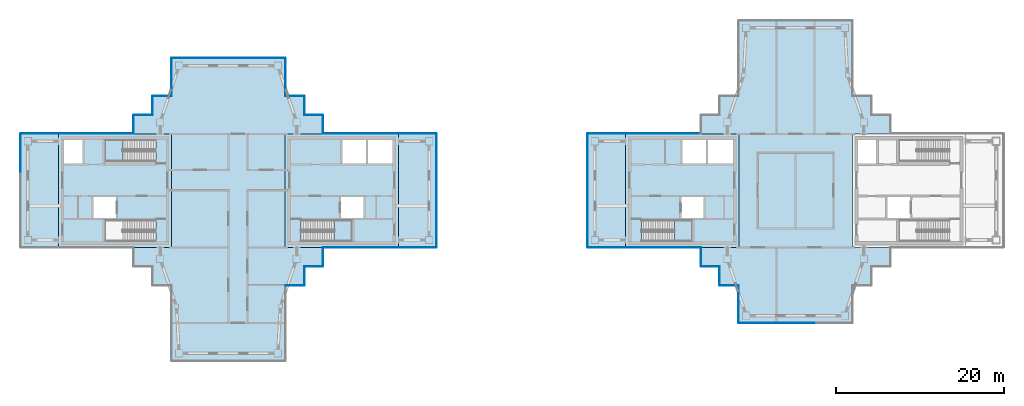
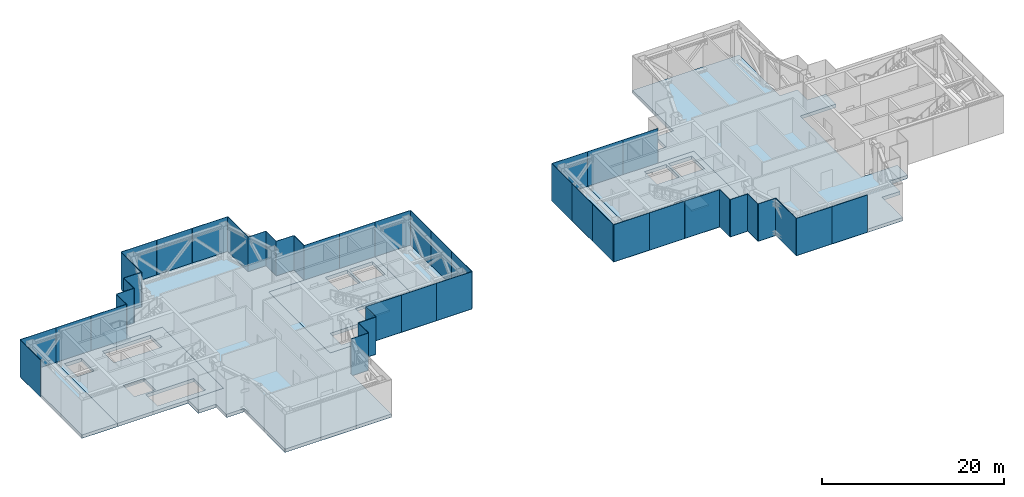
# One storey, part 5 of 18: 46 plates, 11 slabs, 25 elements without a shape of their own.
"""IFC4 building model written with IfcOpenShell, lengths in metres."""

from ifc_helpers import new_model, si_unit, direction, frame, origin, origin_2d, place, context, subcontext, project, spatial, polyline, rectangle, outline, extrude, material, layer, layer_set, type_object, element, aggregate, save


model = new_model("IFC4")

# Units and contexts
model_context = context("Model", 3, precision=1e-05, world=origin(), true_north=direction((0.0, 1.0)))
body_context = subcontext(model_context, "Body", "Model", "MODEL_VIEW")
ifc_project = project(units=[si_unit("LENGTHUNIT", "METRE"), si_unit("AREAUNIT", "SQUARE_METRE"), si_unit("VOLUMEUNIT", "CUBIC_METRE"), si_unit("PLANEANGLEUNIT", "RADIAN"), si_unit("MASSUNIT", "GRAM", prefix="KILO")], contexts=[model_context])

# Site, building, storey
site_placement = place(None, origin())
site = spatial("IfcSite", under=ifc_project, at=site_placement, CompositionType="ELEMENT")
building_placement = place(site_placement, origin())
building = spatial("IfcBuilding", under=site, at=building_placement, Name="Shamsa Quay Exchange Towers", CompositionType="ELEMENT")
storey_placement = place(building_placement, frame((0.0, 0.0, 273.300048828125)))
storey = spatial("IfcBuildingStorey", under=building, at=storey_placement, Name="L66", CompositionType="ELEMENT", Elevation=273.300048828125)

# Slabs
ifc_material_1 = material(Name="Concrete C50/60", Category="concrete")
ifc_layer_1 = layer(ifc_material_1, 0.449951171875)
ifc_layer_set_1 = layer_set([ifc_layer_1], Name="CORE FLOOR 450 C50/60")
slab_type_1 = type_object("IfcSlabType", Name="CORE FLOOR 450 C50/60", PredefinedType="FLOOR", material=ifc_layer_set_1)
slab_1_placement = place(storey_placement, frame((0.0, 0.0, -0.449951171875)))
element("IfcSlab", 1, at=slab_1_placement, inside=storey, type_object=slab_type_1, Name="Core floor T1A", PredefinedType="FLOOR", context=body_context, shape_type="SweptSolid", body=[
    extrude(outline(polyline([(-27.0, -6.75), (-13.5, -6.75), (-13.5, 6.75), (-27.0, 6.75), (-27.0, -6.75)]), holes=[polyline([(-25.099365234375, -6.050048828125), (-25.099365234375, -3.5), (-19.0, -3.5), (-19.0, -6.050048828125), (-25.099365234375, -6.050048828125)]), polyline([(-20.199951171875, 3.25), (-20.199951171875, 6.050048828125), (-17.39990234375, 6.050048828125), (-17.39990234375, 3.25), (-20.199951171875, 3.25)]), polyline([(-17.14990234375, 3.25), (-17.14990234375, 6.050048828125), (-14.199951171875, 6.050048828125), (-14.199951171875, 3.25), (-17.14990234375, 3.25)]), polyline([(-20.35009765625, -3.25), (-20.35009765625, -0.75), (-17.699951171875, -0.75), (-17.699951171875, -3.25), (-20.35009765625, -3.25)])]), origin(), (0.0, 0.0, 1.0), 0.449951171875),
])
slab_2_placement = place(storey_placement, frame((0.0, 0.0, -0.449951171875)))
element("IfcSlab", 2, at=slab_2_placement, inside=storey, type_object=slab_type_1, Name="Core floor T1B", PredefinedType="FLOOR", context=body_context, shape_type="SweptSolid", body=[
    extrude(outline(polyline([(-40.5, -6.75), (-40.5, 6.75), (-54.0, 6.75), (-54.0, -6.75), (-40.5, -6.75)]), holes=[polyline([(-42.400634765625, -3.5), (-42.400634765625, -6.050048828125), (-48.5, -6.050048828125), (-48.5, -3.5), (-42.400634765625, -3.5)]), polyline([(-42.400634765625, 6.050048828125), (-42.400634765625, 3.5), (-48.5, 3.5), (-48.5, 6.050048828125), (-42.400634765625, 6.050048828125)]), polyline([(-51.14990234375, 3.25), (-53.300048828125, 3.25), (-53.300048828125, 6.050048828125), (-51.14990234375, 6.050048828125), (-51.14990234375, 3.25)]), polyline([(-47.14990234375, -3.25), (-49.800048828125, -3.25), (-49.800048828125, -0.75), (-47.14990234375, -0.75), (-47.14990234375, -3.25)])]), origin(), (0.0, 0.0, 1.0), 0.449951171875),
])
slab_3_placement = place(storey_placement, frame((0.0, 0.0, -0.449951171875)))
element("IfcSlab", 3, at=slab_3_placement, inside=storey, type_object=slab_type_1, Name="Core floor T2A", PredefinedType="FLOOR", context=body_context, shape_type="SweptSolid", body=[
    extrude(outline(polyline([(13.5, -6.75), (27.0, -6.75), (27.0, 6.75), (13.5, 6.75), (13.5, -6.75)]), holes=[polyline([(15.400634765625, -6.050048828125), (15.400634765625, -3.5), (21.5, -3.5), (21.5, -6.050048828125), (15.400634765625, -6.050048828125)]), polyline([(20.300048828125, 3.25), (20.300048828125, 6.050048828125), (23.10009765625, 6.050048828125), (23.10009765625, 3.25), (20.300048828125, 3.25)]), polyline([(23.35009765625, 3.25), (23.35009765625, 6.050048828125), (26.300048828125, 6.050048828125), (26.300048828125, 3.25), (23.35009765625, 3.25)]), polyline([(20.14990234375, -3.25), (20.14990234375, -0.75), (22.800048828125, -0.75), (22.800048828125, -3.25), (20.14990234375, -3.25)])]), origin(), (0.0, 0.0, 1.0), 0.449951171875),
])

# Stair, slab
ifc_material_2 = material(Name="Concrete C40/50", Category="concrete")
stair_type = type_object("IfcStairType", Name="EXIT STAIR 30 RISERS 167 MM", PredefinedType="HALF_TURN_STAIR", material=ifc_material_2)
stair_1_placement = place(storey_placement, origin())
stair_1 = element("IfcStair", 4, at=stair_1_placement, inside=storey, type_object=stair_type, Name="L66 Exit stair ST1", PredefinedType="HALF_TURN_STAIR")
ifc_layer_2 = layer(ifc_material_2, 0.199951171875)
ifc_layer_set_2 = layer_set([ifc_layer_2], Name="CORE STAIR LANDING")
slab_type_2 = type_object("IfcSlabType", Name="CORE STAIR LANDING", PredefinedType="LANDING", material=ifc_layer_set_2)
slab_4_placement = place(storey_placement, frame((0.0, 0.0, 2.300048828125)))
slab_4 = element("IfcSlab", 5, at=slab_4_placement, type_object=slab_type_2, Name="ST1 landing 1", PredefinedType="LANDING", context=body_context, shape_type="SweptSolid", body=[
    extrude(outline(polyline([(-21.179931640625, -6.050048828125), (-19.0, -6.050048828125), (-19.0, -3.5), (-21.179931640625, -3.5), (-21.179931640625, -6.050048828125)])), origin(), (0.0, 0.0, 1.0), 0.199951171875),
])
aggregate(stair_1, [slab_4])

stair_2_placement = place(storey_placement, origin())
stair_2 = element("IfcStair", 6, at=stair_2_placement, inside=storey, type_object=stair_type, Name="L66 Exit stair ST3", PredefinedType="HALF_TURN_STAIR")
slab_5_placement = place(storey_placement, frame((0.0, 0.0, 2.300048828125)))
slab_5 = element("IfcSlab", 7, at=slab_5_placement, type_object=slab_type_2, Name="ST3 landing 1", PredefinedType="LANDING", context=body_context, shape_type="SweptSolid", body=[
    extrude(outline(polyline([(-46.320068359375, 6.050048828125), (-48.5, 6.050048828125), (-48.5, 3.5), (-46.320068359375, 3.5), (-46.320068359375, 6.050048828125)])), origin(), (0.0, 0.0, 1.0), 0.199951171875),
])
aggregate(stair_2, [slab_5])

stair_3_placement = place(storey_placement, origin())
stair_3 = element("IfcStair", 8, at=stair_3_placement, inside=storey, type_object=stair_type, Name="L66 Exit stair ST4", PredefinedType="HALF_TURN_STAIR")
slab_6_placement = place(storey_placement, frame((0.0, 0.0, 2.300048828125)))
slab_6 = element("IfcSlab", 9, at=slab_6_placement, type_object=slab_type_2, Name="ST4 landing 1", PredefinedType="LANDING", context=body_context, shape_type="SweptSolid", body=[
    extrude(outline(polyline([(19.320068359375, -6.050048828125), (21.5, -6.050048828125), (21.5, -3.5), (19.320068359375, -3.5), (19.320068359375, -6.050048828125)])), origin(), (0.0, 0.0, 1.0), 0.199951171875),
])
aggregate(stair_3, [slab_6])

# Curtain wall, plates
ifc_material_3 = material(Name="Aluminium EN AW-6063 T6, black anodised", Category="aluminium")
ifc_layer_3 = layer(ifc_material_3, 0.320068359375)
ifc_layer_set_3 = layer_set([ifc_layer_3], Name="CW-7 BELT-LEVEL LOUVRE PANEL WALL")
curtain_wall_type = type_object("IfcCurtainWallType", Name="CW-7 BELT-LEVEL LOUVRE PANEL WALL", PredefinedType="NOTDEFINED", material=ifc_layer_set_3)
curtain_wall_1_placement = place(storey_placement, origin())
curtain_wall_1 = element("IfcCurtainWall", 10, at=curtain_wall_1_placement, inside=storey, type_object=curtain_wall_type, Name="CW7 T1-FLK-U+S L66", PredefinedType="NOTDEFINED")
ifc_material_4 = material(Name="Aluminium louvre panel, black anodised, with insulated fire-rated backing", Category="aluminium")
ifc_layer_4 = layer(ifc_material_4, 0.06005859375)
ifc_layer_set_4 = layer_set([ifc_layer_4], Name="CW-7 LOUVRE PANEL 60")
plate_type = type_object("IfcPlateType", Name="CW-7 LOUVRE PANEL 60", PredefinedType="CURTAIN_PANEL", material=ifc_layer_set_4)
plate_1_placement = place(storey_placement, frame((-20.2060546875, -6.780029296875, -0.35009765625)))
plate_1 = element("IfcPlate", 11, at=plate_1_placement, type_object=plate_type, Name="CW7 glass panel", PredefinedType="CURTAIN_PANEL", context=body_context, shape_type="SweptSolid", body=[
    extrude(rectangle(XDim=4.464111328125, YDim=0.06005859375, at=origin_2d()), origin(), (0.0, 0.0, 1.0), 5.0),
])
plate_2_placement = place(storey_placement, frame((-15.73193359375, -6.780029296875, -0.35009765625)))
plate_2 = element("IfcPlate", 12, at=plate_2_placement, type_object=plate_type, Name="CW7 glass panel", PredefinedType="CURTAIN_PANEL", context=body_context, shape_type="SweptSolid", body=[
    extrude(rectangle(XDim=4.464111328125, YDim=0.06005859375, at=origin_2d()), origin(), (0.0, 0.0, 1.0), 5.0),
])
aggregate(curtain_wall_1, [plate_1, plate_2])

# Curtain wall, plate
curtain_wall_2_placement = place(storey_placement, origin())
curtain_wall_2 = element("IfcCurtainWall", 13, at=curtain_wall_2_placement, inside=storey, type_object=curtain_wall_type, Name="CW7 T1-FLK-U+S L66", PredefinedType="NOTDEFINED")
plate_3_placement = place(storey_placement, frame((-11.25, -6.780029296875, -0.35009765625)))
plate_3 = element("IfcPlate", 14, at=plate_3_placement, type_object=plate_type, Name="CW7 glass panel", PredefinedType="CURTAIN_PANEL", context=body_context, shape_type="SweptSolid", body=[
    extrude(rectangle(XDim=4.5, YDim=0.06005859375, at=origin_2d()), origin(), (0.0, 0.0, 1.0), 5.0),
])
aggregate(curtain_wall_2, [plate_3])

# Curtain wall, plates
curtain_wall_3_placement = place(storey_placement, origin())
curtain_wall_3 = element("IfcCurtainWall", 15, at=curtain_wall_3_placement, inside=storey, type_object=curtain_wall_type, Name="CW7 T1-END-U+ L66", PredefinedType="NOTDEFINED")
plate_4_placement = place(storey_placement, frame((-8.969970703125, -4.50244140625, -0.35009765625), z_axis=(0.0, 0.0, 1.0), x_axis=(0.0, 1.0, 0.0)))
plate_4 = element("IfcPlate", 16, at=plate_4_placement, type_object=plate_type, Name="CW7 glass panel", PredefinedType="CURTAIN_PANEL", context=body_context, shape_type="SweptSolid", body=[
    extrude(rectangle(XDim=4.4951171875, YDim=0.06005859375, at=origin_2d()), origin(), (0.0, 0.0, 1.0), 5.0),
])
plate_5_placement = place(storey_placement, frame((-8.969970703125, 0.0, -0.35009765625), z_axis=(0.0, 0.0, 1.0), x_axis=(0.0, 1.0, 0.0)))
plate_5 = element("IfcPlate", 17, at=plate_5_placement, type_object=plate_type, Name="CW7 glass panel", PredefinedType="CURTAIN_PANEL", context=body_context, shape_type="SweptSolid", body=[
    extrude(rectangle(XDim=4.489990234375, YDim=0.06005859375, at=origin_2d()), origin(), (0.0, 0.0, 1.0), 5.0),
])
plate_6_placement = place(storey_placement, frame((-8.969970703125, 4.50244140625, -0.35009765625), z_axis=(0.0, 0.0, 1.0), x_axis=(0.0, 1.0, 0.0)))
plate_6 = element("IfcPlate", 18, at=plate_6_placement, type_object=plate_type, Name="CW7 glass panel", PredefinedType="CURTAIN_PANEL", context=body_context, shape_type="SweptSolid", body=[
    extrude(rectangle(XDim=4.4951171875, YDim=0.06005859375, at=origin_2d()), origin(), (0.0, 0.0, 1.0), 5.0),
])
aggregate(curtain_wall_3, [plate_4, plate_5, plate_6])

# Curtain wall, plate
curtain_wall_4_placement = place(storey_placement, origin())
curtain_wall_4 = element("IfcCurtainWall", 19, at=curtain_wall_4_placement, inside=storey, type_object=curtain_wall_type, Name="CW7 T1-FLK-U+N L66", PredefinedType="NOTDEFINED")
plate_7_placement = place(storey_placement, frame((-11.25, 6.780029296875, -0.35009765625), z_axis=(0.0, 0.0, 1.0), x_axis=(-1.0, 0.0, 0.0)))
plate_7 = element("IfcPlate", 20, at=plate_7_placement, type_object=plate_type, Name="CW7 glass panel", PredefinedType="CURTAIN_PANEL", context=body_context, shape_type="SweptSolid", body=[
    extrude(rectangle(XDim=4.5, YDim=0.06005859375, at=origin_2d()), origin(), (0.0, 0.0, 1.0), 5.0),
])
aggregate(curtain_wall_4, [plate_7])

# Curtain wall, plates
curtain_wall_5_placement = place(storey_placement, origin())
curtain_wall_5 = element("IfcCurtainWall", 21, at=curtain_wall_5_placement, inside=storey, type_object=curtain_wall_type, Name="CW7 T1-FLK-U+N L66", PredefinedType="NOTDEFINED")
plate_8_placement = place(storey_placement, frame((-15.74755859375, 6.780029296875, -0.35009765625), z_axis=(0.0, 0.0, 1.0), x_axis=(-1.0, 0.0, 0.0)))
plate_8 = element("IfcPlate", 22, at=plate_8_placement, type_object=plate_type, Name="CW7 glass panel", PredefinedType="CURTAIN_PANEL", context=body_context, shape_type="SweptSolid", body=[
    extrude(rectangle(XDim=4.4951171875, YDim=0.06005859375, at=origin_2d()), origin(), (0.0, 0.0, 1.0), 5.0),
])
plate_9_placement = place(storey_placement, frame((-20.25244140625, 6.780029296875, -0.35009765625), z_axis=(0.0, 0.0, 1.0), x_axis=(-1.0, 0.0, 0.0)))
plate_9 = element("IfcPlate", 23, at=plate_9_placement, type_object=plate_type, Name="CW7 glass panel", PredefinedType="CURTAIN_PANEL", context=body_context, shape_type="SweptSolid", body=[
    extrude(rectangle(XDim=4.4951171875, YDim=0.06005859375, at=origin_2d()), origin(), (0.0, 0.0, 1.0), 5.0),
])
aggregate(curtain_wall_5, [plate_8, plate_9])

# Curtain wall, plate
curtain_wall_6_placement = place(storey_placement, origin())
curtain_wall_6 = element("IfcCurtainWall", 24, at=curtain_wall_6_placement, inside=storey, type_object=curtain_wall_type, Name="CW7 T1-FLK-V+E L66", PredefinedType="NOTDEFINED")
plate_10_placement = place(storey_placement, frame((-26.969970703125, 13.531005859375, -0.35009765625), z_axis=(0.0, 0.0, 1.0), x_axis=(0.0, 1.0, 0.0)))
plate_10 = element("IfcPlate", 25, at=plate_10_placement, type_object=plate_type, Name="CW7 glass panel", PredefinedType="CURTAIN_PANEL", context=body_context, shape_type="SweptSolid", body=[
    extrude(rectangle(XDim=4.43798828125, YDim=0.06005859375, at=origin_2d()), origin(), (0.0, 0.0, 1.0), 5.0),
])
aggregate(curtain_wall_6, [plate_10])

# Curtain wall, plates
curtain_wall_7_placement = place(storey_placement, origin())
curtain_wall_7 = element("IfcCurtainWall", 26, at=curtain_wall_7_placement, inside=storey, type_object=curtain_wall_type, Name="CW7 T1-END-V+ L66", PredefinedType="NOTDEFINED")
plate_11_placement = place(storey_placement, frame((-29.24755859375, 15.780029296875, -0.35009765625), z_axis=(0.0, 0.0, 1.0), x_axis=(-1.0, 0.0, 0.0)))
plate_11 = element("IfcPlate", 27, at=plate_11_placement, type_object=plate_type, Name="CW7 glass panel", PredefinedType="CURTAIN_PANEL", context=body_context, shape_type="SweptSolid", body=[
    extrude(rectangle(XDim=4.4951171875, YDim=0.06005859375, at=origin_2d()), origin(), (0.0, 0.0, 1.0), 5.0),
])
plate_12_placement = place(storey_placement, frame((-33.75, 15.780029296875, -0.35009765625), z_axis=(0.0, 0.0, 1.0), x_axis=(-1.0, 0.0, 0.0)))
plate_12 = element("IfcPlate", 28, at=plate_12_placement, type_object=plate_type, Name="CW7 glass panel", PredefinedType="CURTAIN_PANEL", context=body_context, shape_type="SweptSolid", body=[
    extrude(rectangle(XDim=4.489990234375, YDim=0.06005859375, at=origin_2d()), origin(), (0.0, 0.0, 1.0), 5.0),
])
plate_13_placement = place(storey_placement, frame((-38.25244140625, 15.780029296875, -0.35009765625), z_axis=(0.0, 0.0, 1.0), x_axis=(-1.0, 0.0, 0.0)))
plate_13 = element("IfcPlate", 29, at=plate_13_placement, type_object=plate_type, Name="CW7 glass panel", PredefinedType="CURTAIN_PANEL", context=body_context, shape_type="SweptSolid", body=[
    extrude(rectangle(XDim=4.4951171875, YDim=0.06005859375, at=origin_2d()), origin(), (0.0, 0.0, 1.0), 5.0),
])
aggregate(curtain_wall_7, [plate_11, plate_12, plate_13])

# Curtain wall, plate
curtain_wall_8_placement = place(storey_placement, origin())
curtain_wall_8 = element("IfcCurtainWall", 30, at=curtain_wall_8_placement, inside=storey, type_object=curtain_wall_type, Name="CW7 T1-FLK-V+W L66", PredefinedType="NOTDEFINED")
plate_14_placement = place(storey_placement, frame((-40.530029296875, 13.5, -0.35009765625), z_axis=(0.0, 0.0, 1.0), x_axis=(0.0, -1.0, 0.0)))
plate_14 = element("IfcPlate", 31, at=plate_14_placement, type_object=plate_type, Name="CW7 glass panel", PredefinedType="CURTAIN_PANEL", context=body_context, shape_type="SweptSolid", body=[
    extrude(rectangle(XDim=4.5, YDim=0.06005859375, at=origin_2d()), origin(), (0.0, 0.0, 1.0), 5.0),
])
aggregate(curtain_wall_8, [plate_14])

# Curtain wall, plates
curtain_wall_9_placement = place(storey_placement, origin())
curtain_wall_9 = element("IfcCurtainWall", 32, at=curtain_wall_9_placement, inside=storey, type_object=curtain_wall_type, Name="CW7 T1-FLK-U-N L66", PredefinedType="NOTDEFINED")
plate_15_placement = place(storey_placement, frame((-47.2939453125, 6.780029296875, -0.35009765625), z_axis=(0.0, 0.0, 1.0), x_axis=(-1.0, 0.0, 0.0)))
plate_15 = element("IfcPlate", 33, at=plate_15_placement, type_object=plate_type, Name="CW7 glass panel", PredefinedType="CURTAIN_PANEL", context=body_context, shape_type="SweptSolid", body=[
    extrude(rectangle(XDim=4.464111328125, YDim=0.06005859375, at=origin_2d()), origin(), (0.0, 0.0, 1.0), 5.0),
])
plate_16_placement = place(storey_placement, frame((-51.76806640625, 6.780029296875, -0.35009765625), z_axis=(0.0, 0.0, 1.0), x_axis=(-1.0, 0.0, 0.0)))
plate_16 = element("IfcPlate", 34, at=plate_16_placement, type_object=plate_type, Name="CW7 glass panel", PredefinedType="CURTAIN_PANEL", context=body_context, shape_type="SweptSolid", body=[
    extrude(rectangle(XDim=4.464111328125, YDim=0.06005859375, at=origin_2d()), origin(), (0.0, 0.0, 1.0), 5.0),
])
aggregate(curtain_wall_9, [plate_15, plate_16])

# Curtain wall, plate
curtain_wall_10_placement = place(storey_placement, origin())
curtain_wall_10 = element("IfcCurtainWall", 35, at=curtain_wall_10_placement, inside=storey, type_object=curtain_wall_type, Name="CW7 T1-FLK-U-N L66", PredefinedType="NOTDEFINED")
plate_17_placement = place(storey_placement, frame((-56.25, 6.780029296875, -0.35009765625), z_axis=(0.0, 0.0, 1.0), x_axis=(-1.0, 0.0, 0.0)))
plate_17 = element("IfcPlate", 36, at=plate_17_placement, type_object=plate_type, Name="CW7 glass panel", PredefinedType="CURTAIN_PANEL", context=body_context, shape_type="SweptSolid", body=[
    extrude(rectangle(XDim=4.5, YDim=0.06005859375, at=origin_2d()), origin(), (0.0, 0.0, 1.0), 5.0),
])
aggregate(curtain_wall_10, [plate_17])

curtain_wall_11_placement = place(storey_placement, origin())
curtain_wall_11 = element("IfcCurtainWall", 37, at=curtain_wall_11_placement, inside=storey, type_object=curtain_wall_type, Name="CW7 T1-END-U- L66", PredefinedType="NOTDEFINED")
plate_18_placement = place(storey_placement, frame((-58.530029296875, 4.50244140625, -0.35009765625), z_axis=(0.0, 0.0, 1.0), x_axis=(0.0, -1.0, 0.0)))
plate_18 = element("IfcPlate", 38, at=plate_18_placement, type_object=plate_type, Name="CW7 glass panel", PredefinedType="CURTAIN_PANEL", context=body_context, shape_type="SweptSolid", body=[
    extrude(rectangle(XDim=4.4951171875, YDim=0.06005859375, at=origin_2d()), origin(), (0.0, 0.0, 1.0), 5.0),
])
aggregate(curtain_wall_11, [plate_18])

# Curtain wall, plates
curtain_wall_12_placement = place(storey_placement, origin())
curtain_wall_12 = element("IfcCurtainWall", 39, at=curtain_wall_12_placement, inside=storey, type_object=curtain_wall_type, Name="CW7 PKES L66", PredefinedType="NOTDEFINED")
plate_19_placement = place(storey_placement, frame((-25.843994140625, -11.280029296875, -0.35009765625)))
plate_19 = element("IfcPlate", 40, at=plate_19_placement, type_object=plate_type, Name="CW7 glass panel", PredefinedType="CURTAIN_PANEL", context=body_context, shape_type="SweptSolid", body=[
    extrude(rectangle(XDim=2.18798828125, YDim=0.06005859375, at=origin_2d()), origin(), (0.0, 0.0, 1.0), 5.0),
])
plate_20_placement = place(storey_placement, frame((-24.719970703125, -10.125, -0.35009765625), z_axis=(0.0, 0.0, 1.0), x_axis=(0.0, 1.0, 0.0)))
plate_20 = element("IfcPlate", 41, at=plate_20_placement, type_object=plate_type, Name="CW7 glass panel", PredefinedType="CURTAIN_PANEL", context=body_context, shape_type="SweptSolid", body=[
    extrude(rectangle(XDim=2.25, YDim=0.06005859375, at=origin_2d()), origin(), (0.0, 0.0, 1.0), 5.0),
])
plate_21_placement = place(storey_placement, frame((-23.593994140625, -9.030029296875, -0.35009765625)))
plate_21 = element("IfcPlate", 42, at=plate_21_placement, type_object=plate_type, Name="CW7 glass panel", PredefinedType="CURTAIN_PANEL", context=body_context, shape_type="SweptSolid", body=[
    extrude(rectangle(XDim=2.18798828125, YDim=0.06005859375, at=origin_2d()), origin(), (0.0, 0.0, 1.0), 5.0),
])
plate_22_placement = place(storey_placement, frame((-22.469970703125, -7.875, -0.35009765625), z_axis=(0.0, 0.0, 1.0), x_axis=(0.0, 1.0, 0.0)))
plate_22 = element("IfcPlate", 43, at=plate_22_placement, type_object=plate_type, Name="CW7 glass panel", PredefinedType="CURTAIN_PANEL", context=body_context, shape_type="SweptSolid", body=[
    extrude(rectangle(XDim=2.25, YDim=0.06005859375, at=origin_2d()), origin(), (0.0, 0.0, 1.0), 5.0),
])
aggregate(curtain_wall_12, [plate_19, plate_20, plate_21, plate_22])

curtain_wall_13_placement = place(storey_placement, origin())
curtain_wall_13 = element("IfcCurtainWall", 44, at=curtain_wall_13_placement, inside=storey, type_object=curtain_wall_type, Name="CW7 PKEN L66", PredefinedType="NOTDEFINED")
plate_23_placement = place(storey_placement, frame((-22.469970703125, 7.906005859375, -0.35009765625), z_axis=(0.0, 0.0, 1.0), x_axis=(0.0, 1.0, 0.0)))
plate_23 = element("IfcPlate", 45, at=plate_23_placement, type_object=plate_type, Name="CW7 glass panel", PredefinedType="CURTAIN_PANEL", context=body_context, shape_type="SweptSolid", body=[
    extrude(rectangle(XDim=2.18798828125, YDim=0.06005859375, at=origin_2d()), origin(), (0.0, 0.0, 1.0), 5.0),
])
plate_24_placement = place(storey_placement, frame((-23.625, 9.030029296875, -0.35009765625), z_axis=(0.0, 0.0, 1.0), x_axis=(-1.0, 0.0, 0.0)))
plate_24 = element("IfcPlate", 46, at=plate_24_placement, type_object=plate_type, Name="CW7 glass panel", PredefinedType="CURTAIN_PANEL", context=body_context, shape_type="SweptSolid", body=[
    extrude(rectangle(XDim=2.25, YDim=0.06005859375, at=origin_2d()), origin(), (0.0, 0.0, 1.0), 5.0),
])
plate_25_placement = place(storey_placement, frame((-24.719970703125, 10.156005859375, -0.35009765625), z_axis=(0.0, 0.0, 1.0), x_axis=(0.0, 1.0, 0.0)))
plate_25 = element("IfcPlate", 47, at=plate_25_placement, type_object=plate_type, Name="CW7 glass panel", PredefinedType="CURTAIN_PANEL", context=body_context, shape_type="SweptSolid", body=[
    extrude(rectangle(XDim=2.18798828125, YDim=0.06005859375, at=origin_2d()), origin(), (0.0, 0.0, 1.0), 5.0),
])
plate_26_placement = place(storey_placement, frame((-25.875, 11.280029296875, -0.35009765625), z_axis=(0.0, 0.0, 1.0), x_axis=(-1.0, 0.0, 0.0)))
plate_26 = element("IfcPlate", 48, at=plate_26_placement, type_object=plate_type, Name="CW7 glass panel", PredefinedType="CURTAIN_PANEL", context=body_context, shape_type="SweptSolid", body=[
    extrude(rectangle(XDim=2.25, YDim=0.06005859375, at=origin_2d()), origin(), (0.0, 0.0, 1.0), 5.0),
])
aggregate(curtain_wall_13, [plate_23, plate_24, plate_25, plate_26])

curtain_wall_14_placement = place(storey_placement, origin())
curtain_wall_14 = element("IfcCurtainWall", 49, at=curtain_wall_14_placement, inside=storey, type_object=curtain_wall_type, Name="CW7 PKWN L66", PredefinedType="NOTDEFINED")
plate_27_placement = place(storey_placement, frame((-41.656005859375, 11.280029296875, -0.35009765625), z_axis=(0.0, 0.0, 1.0), x_axis=(-1.0, 0.0, 0.0)))
plate_27 = element("IfcPlate", 50, at=plate_27_placement, type_object=plate_type, Name="CW7 glass panel", PredefinedType="CURTAIN_PANEL", context=body_context, shape_type="SweptSolid", body=[
    extrude(rectangle(XDim=2.18798828125, YDim=0.06005859375, at=origin_2d()), origin(), (0.0, 0.0, 1.0), 5.0),
])
plate_28_placement = place(storey_placement, frame((-42.780029296875, 10.125, -0.35009765625), z_axis=(0.0, 0.0, 1.0), x_axis=(0.0, -1.0, 0.0)))
plate_28 = element("IfcPlate", 51, at=plate_28_placement, type_object=plate_type, Name="CW7 glass panel", PredefinedType="CURTAIN_PANEL", context=body_context, shape_type="SweptSolid", body=[
    extrude(rectangle(XDim=2.25, YDim=0.06005859375, at=origin_2d()), origin(), (0.0, 0.0, 1.0), 5.0),
])
plate_29_placement = place(storey_placement, frame((-43.906005859375, 9.030029296875, -0.35009765625), z_axis=(0.0, 0.0, 1.0), x_axis=(-1.0, 0.0, 0.0)))
plate_29 = element("IfcPlate", 52, at=plate_29_placement, type_object=plate_type, Name="CW7 glass panel", PredefinedType="CURTAIN_PANEL", context=body_context, shape_type="SweptSolid", body=[
    extrude(rectangle(XDim=2.18798828125, YDim=0.06005859375, at=origin_2d()), origin(), (0.0, 0.0, 1.0), 5.0),
])
plate_30_placement = place(storey_placement, frame((-45.030029296875, 7.875, -0.35009765625), z_axis=(0.0, 0.0, 1.0), x_axis=(0.0, -1.0, 0.0)))
plate_30 = element("IfcPlate", 53, at=plate_30_placement, type_object=plate_type, Name="CW7 glass panel", PredefinedType="CURTAIN_PANEL", context=body_context, shape_type="SweptSolid", body=[
    extrude(rectangle(XDim=2.25, YDim=0.06005859375, at=origin_2d()), origin(), (0.0, 0.0, 1.0), 5.0),
])
aggregate(curtain_wall_14, [plate_27, plate_28, plate_29, plate_30])

curtain_wall_15_placement = place(storey_placement, origin())
curtain_wall_15 = element("IfcCurtainWall", 54, at=curtain_wall_15_placement, inside=storey, type_object=curtain_wall_type, Name="CW7 T2-FLK-V+E L66", PredefinedType="NOTDEFINED")
plate_31_placement = place(storey_placement, frame((20.2060546875, 6.780029296875, -0.35009765625), z_axis=(0.0, 0.0, 1.0), x_axis=(-1.0, 0.0, 0.0)))
plate_31 = element("IfcPlate", 55, at=plate_31_placement, type_object=plate_type, Name="CW7 glass panel", PredefinedType="CURTAIN_PANEL", context=body_context, shape_type="SweptSolid", body=[
    extrude(rectangle(XDim=4.464111328125, YDim=0.06005859375, at=origin_2d()), origin(), (0.0, 0.0, 1.0), 5.0),
])
plate_32_placement = place(storey_placement, frame((15.73193359375, 6.780029296875, -0.35009765625), z_axis=(0.0, 0.0, 1.0), x_axis=(-1.0, 0.0, 0.0)))
plate_32 = element("IfcPlate", 56, at=plate_32_placement, type_object=plate_type, Name="CW7 glass panel", PredefinedType="CURTAIN_PANEL", context=body_context, shape_type="SweptSolid", body=[
    extrude(rectangle(XDim=4.464111328125, YDim=0.06005859375, at=origin_2d()), origin(), (0.0, 0.0, 1.0), 5.0),
])
aggregate(curtain_wall_15, [plate_31, plate_32])

# Curtain wall, plate
curtain_wall_16_placement = place(storey_placement, origin())
curtain_wall_16 = element("IfcCurtainWall", 57, at=curtain_wall_16_placement, inside=storey, type_object=curtain_wall_type, Name="CW7 T2-FLK-V+E L66", PredefinedType="NOTDEFINED")
plate_33_placement = place(storey_placement, frame((11.25, 6.780029296875, -0.35009765625), z_axis=(0.0, 0.0, 1.0), x_axis=(-1.0, 0.0, 0.0)))
plate_33 = element("IfcPlate", 58, at=plate_33_placement, type_object=plate_type, Name="CW7 glass panel", PredefinedType="CURTAIN_PANEL", context=body_context, shape_type="SweptSolid", body=[
    extrude(rectangle(XDim=4.5, YDim=0.06005859375, at=origin_2d()), origin(), (0.0, 0.0, 1.0), 5.0),
])
aggregate(curtain_wall_16, [plate_33])

# Curtain wall, plates
curtain_wall_17_placement = place(storey_placement, origin())
curtain_wall_17 = element("IfcCurtainWall", 59, at=curtain_wall_17_placement, inside=storey, type_object=curtain_wall_type, Name="CW7 T2-END-V+ L66", PredefinedType="NOTDEFINED")
plate_34_placement = place(storey_placement, frame((8.969970703125, 4.50244140625, -0.35009765625), z_axis=(0.0, 0.0, 1.0), x_axis=(0.0, -1.0, 0.0)))
plate_34 = element("IfcPlate", 60, at=plate_34_placement, type_object=plate_type, Name="CW7 glass panel", PredefinedType="CURTAIN_PANEL", context=body_context, shape_type="SweptSolid", body=[
    extrude(rectangle(XDim=4.4951171875, YDim=0.06005859375, at=origin_2d()), origin(), (0.0, 0.0, 1.0), 5.0),
])
plate_35_placement = place(storey_placement, frame((8.969970703125, 0.0, -0.35009765625), z_axis=(0.0, 0.0, 1.0), x_axis=(0.0, -1.0, 0.0)))
plate_35 = element("IfcPlate", 61, at=plate_35_placement, type_object=plate_type, Name="CW7 glass panel", PredefinedType="CURTAIN_PANEL", context=body_context, shape_type="SweptSolid", body=[
    extrude(rectangle(XDim=4.489990234375, YDim=0.06005859375, at=origin_2d()), origin(), (0.0, 0.0, 1.0), 5.0),
])
plate_36_placement = place(storey_placement, frame((8.969970703125, -4.50244140625, -0.35009765625), z_axis=(0.0, 0.0, 1.0), x_axis=(0.0, -1.0, 0.0)))
plate_36 = element("IfcPlate", 62, at=plate_36_placement, type_object=plate_type, Name="CW7 glass panel", PredefinedType="CURTAIN_PANEL", context=body_context, shape_type="SweptSolid", body=[
    extrude(rectangle(XDim=4.4951171875, YDim=0.06005859375, at=origin_2d()), origin(), (0.0, 0.0, 1.0), 5.0),
])
aggregate(curtain_wall_17, [plate_34, plate_35, plate_36])

# Curtain wall, plate
curtain_wall_18_placement = place(storey_placement, origin())
curtain_wall_18 = element("IfcCurtainWall", 63, at=curtain_wall_18_placement, inside=storey, type_object=curtain_wall_type, Name="CW7 T2-FLK-V+W L66", PredefinedType="NOTDEFINED")
plate_37_placement = place(storey_placement, frame((11.25, -6.780029296875, -0.35009765625)))
plate_37 = element("IfcPlate", 64, at=plate_37_placement, type_object=plate_type, Name="CW7 glass panel", PredefinedType="CURTAIN_PANEL", context=body_context, shape_type="SweptSolid", body=[
    extrude(rectangle(XDim=4.5, YDim=0.06005859375, at=origin_2d()), origin(), (0.0, 0.0, 1.0), 5.0),
])
aggregate(curtain_wall_18, [plate_37])

# Curtain wall, plates
curtain_wall_19_placement = place(storey_placement, origin())
curtain_wall_19 = element("IfcCurtainWall", 65, at=curtain_wall_19_placement, inside=storey, type_object=curtain_wall_type, Name="CW7 T2-FLK-V+W L66", PredefinedType="NOTDEFINED")
plate_38_placement = place(storey_placement, frame((15.74755859375, -6.780029296875, -0.35009765625)))
plate_38 = element("IfcPlate", 66, at=plate_38_placement, type_object=plate_type, Name="CW7 glass panel", PredefinedType="CURTAIN_PANEL", context=body_context, shape_type="SweptSolid", body=[
    extrude(rectangle(XDim=4.4951171875, YDim=0.06005859375, at=origin_2d()), origin(), (0.0, 0.0, 1.0), 5.0),
])
plate_39_placement = place(storey_placement, frame((20.25244140625, -6.780029296875, -0.35009765625)))
plate_39 = element("IfcPlate", 67, at=plate_39_placement, type_object=plate_type, Name="CW7 glass panel", PredefinedType="CURTAIN_PANEL", context=body_context, shape_type="SweptSolid", body=[
    extrude(rectangle(XDim=4.4951171875, YDim=0.06005859375, at=origin_2d()), origin(), (0.0, 0.0, 1.0), 5.0),
])
aggregate(curtain_wall_19, [plate_38, plate_39])

# Curtain wall, plate
curtain_wall_20_placement = place(storey_placement, origin())
curtain_wall_20 = element("IfcCurtainWall", 68, at=curtain_wall_20_placement, inside=storey, type_object=curtain_wall_type, Name="CW7 T2-FLK-U-N L66", PredefinedType="NOTDEFINED")
plate_40_placement = place(storey_placement, frame((26.969970703125, -13.531005859375, -0.35009765625), z_axis=(0.0, 0.0, 1.0), x_axis=(0.0, -1.0, 0.0)))
plate_40 = element("IfcPlate", 69, at=plate_40_placement, type_object=plate_type, Name="CW7 glass panel", PredefinedType="CURTAIN_PANEL", context=body_context, shape_type="SweptSolid", body=[
    extrude(rectangle(XDim=4.43798828125, YDim=0.06005859375, at=origin_2d()), origin(), (0.0, 0.0, 1.0), 5.0),
])
aggregate(curtain_wall_20, [plate_40])

# Curtain wall, plates
curtain_wall_21_placement = place(storey_placement, origin())
curtain_wall_21 = element("IfcCurtainWall", 70, at=curtain_wall_21_placement, inside=storey, type_object=curtain_wall_type, Name="CW7 T2-END-U- L66", PredefinedType="NOTDEFINED")
plate_41_placement = place(storey_placement, frame((29.24755859375, -15.780029296875, -0.35009765625)))
plate_41 = element("IfcPlate", 71, at=plate_41_placement, type_object=plate_type, Name="CW7 glass panel", PredefinedType="CURTAIN_PANEL", context=body_context, shape_type="SweptSolid", body=[
    extrude(rectangle(XDim=4.4951171875, YDim=0.06005859375, at=origin_2d()), origin(), (0.0, 0.0, 1.0), 5.0),
])
plate_42_placement = place(storey_placement, frame((33.75, -15.780029296875, -0.35009765625)))
plate_42 = element("IfcPlate", 72, at=plate_42_placement, type_object=plate_type, Name="CW7 glass panel", PredefinedType="CURTAIN_PANEL", context=body_context, shape_type="SweptSolid", body=[
    extrude(rectangle(XDim=4.489990234375, YDim=0.06005859375, at=origin_2d()), origin(), (0.0, 0.0, 1.0), 5.0),
])
aggregate(curtain_wall_21, [plate_41, plate_42])

curtain_wall_22_placement = place(storey_placement, origin())
curtain_wall_22 = element("IfcCurtainWall", 73, at=curtain_wall_22_placement, inside=storey, type_object=curtain_wall_type, Name="CW7 PKWN L66", PredefinedType="NOTDEFINED")
plate_43_placement = place(storey_placement, frame((22.469970703125, -7.906005859375, -0.35009765625), z_axis=(0.0, 0.0, 1.0), x_axis=(0.0, -1.0, 0.0)))
plate_43 = element("IfcPlate", 74, at=plate_43_placement, type_object=plate_type, Name="CW7 glass panel", PredefinedType="CURTAIN_PANEL", context=body_context, shape_type="SweptSolid", body=[
    extrude(rectangle(XDim=2.18798828125, YDim=0.06005859375, at=origin_2d()), origin(), (0.0, 0.0, 1.0), 5.0),
])
plate_44_placement = place(storey_placement, frame((23.625, -9.030029296875, -0.35009765625)))
plate_44 = element("IfcPlate", 75, at=plate_44_placement, type_object=plate_type, Name="CW7 glass panel", PredefinedType="CURTAIN_PANEL", context=body_context, shape_type="SweptSolid", body=[
    extrude(rectangle(XDim=2.25, YDim=0.06005859375, at=origin_2d()), origin(), (0.0, 0.0, 1.0), 5.0),
])
plate_45_placement = place(storey_placement, frame((24.719970703125, -10.156005859375, -0.35009765625), z_axis=(0.0, 0.0, 1.0), x_axis=(0.0, -1.0, 0.0)))
plate_45 = element("IfcPlate", 76, at=plate_45_placement, type_object=plate_type, Name="CW7 glass panel", PredefinedType="CURTAIN_PANEL", context=body_context, shape_type="SweptSolid", body=[
    extrude(rectangle(XDim=2.18798828125, YDim=0.06005859375, at=origin_2d()), origin(), (0.0, 0.0, 1.0), 5.0),
])
plate_46_placement = place(storey_placement, frame((25.875, -11.280029296875, -0.35009765625)))
plate_46 = element("IfcPlate", 77, at=plate_46_placement, type_object=plate_type, Name="CW7 glass panel", PredefinedType="CURTAIN_PANEL", context=body_context, shape_type="SweptSolid", body=[
    extrude(rectangle(XDim=2.25, YDim=0.06005859375, at=origin_2d()), origin(), (0.0, 0.0, 1.0), 5.0),
])
aggregate(curtain_wall_22, [plate_43, plate_44, plate_45, plate_46])

# Slabs
ifc_layer_5 = layer(ifc_material_2, 0.449951171875)
ifc_layer_set_5 = layer_set([ifc_layer_5], Name="Flat slab 450")
slab_type_3 = type_object("IfcSlabType", Name="Flat slab 450", PredefinedType="FLOOR", material=ifc_layer_set_5)
slab_7_placement = place(storey_placement, frame((0.0, 0.0, -0.449951171875)))
element("IfcSlab", 78, at=slab_7_placement, inside=storey, type_object=slab_type_3, Name="Flat slab T1 L66 1", PredefinedType="FLOOR", context=body_context, shape_type="SweptSolid", body=[
    extrude(outline(polyline([(-58.5, -6.75), (-54.0, -6.75), (-54.0, 6.75), (-58.5, 6.75), (-58.5, -6.75)])), origin(), (0.0, 0.0, 1.0), 0.449951171875),
])
slab_8_placement = place(storey_placement, frame((0.0, 0.0, -0.449951171875)))
element("IfcSlab", 79, at=slab_8_placement, inside=storey, type_object=slab_type_3, Name="Flat slab T1 L66 2", PredefinedType="FLOOR", context=body_context, shape_type="SweptSolid", body=[
    extrude(outline(polyline([(-22.5, -9.0), (-22.5, -6.75), (-27.0, -6.75), (-27.0, 6.75), (-22.5, 6.75), (-22.5, 9.0), (-24.75, 9.0), (-24.75, 11.25), (-27.0, 11.25), (-27.0, 15.75), (-40.5, 15.75), (-40.5, 11.25), (-42.75, 11.25), (-42.75, 9.0), (-45.0, 9.0), (-45.0, 6.75), (-40.5, 6.75), (-40.5, -6.75), (-45.0, -6.75), (-45.0, -9.0), (-42.75, -9.0), (-42.75, -11.25), (-40.5, -11.25), (-40.5, -20.25), (-27.0, -20.25), (-27.0, -11.25), (-24.75, -11.25), (-24.75, -9.0), (-22.5, -9.0)])), origin(), (0.0, 0.0, 1.0), 0.449951171875),
])
slab_9_placement = place(storey_placement, frame((0.0, 0.0, -0.449951171875)))
element("IfcSlab", 80, at=slab_9_placement, inside=storey, type_object=slab_type_3, Name="Flat slab T1 L66 3", PredefinedType="FLOOR", context=body_context, shape_type="SweptSolid", body=[
    extrude(outline(polyline([(-9.0, 6.75), (-13.5, 6.75), (-13.5, -6.75), (-9.0, -6.75), (-9.0, 6.75)])), origin(), (0.0, 0.0, 1.0), 0.449951171875),
])
slab_10_placement = place(storey_placement, frame((0.0, 0.0, -0.449951171875)))
element("IfcSlab", 81, at=slab_10_placement, inside=storey, type_object=slab_type_3, Name="Flat slab T2 L66 4", PredefinedType="FLOOR", context=body_context, shape_type="SweptSolid", body=[
    extrude(outline(polyline([(9.0, -6.75), (13.5, -6.75), (13.5, 6.75), (9.0, 6.75), (9.0, -6.75)])), origin(), (0.0, 0.0, 1.0), 0.449951171875),
])
slab_11_placement = place(storey_placement, frame((0.0, 0.0, -0.449951171875)))
element("IfcSlab", 82, at=slab_11_placement, inside=storey, type_object=slab_type_3, Name="Flat slab T2 L66 5", PredefinedType="FLOOR", context=body_context, shape_type="SweptSolid", body=[
    extrude(outline(polyline([(45.0, -9.0), (45.0, -6.75), (40.5, -6.75), (40.5, 6.75), (45.0, 6.75), (45.0, 9.0), (42.75, 9.0), (42.75, 11.25), (40.5, 11.25), (40.5, 20.25), (27.0, 20.25), (27.0, 11.25), (24.75, 11.25), (24.75, 9.0), (22.5, 9.0), (22.5, 6.75), (27.0, 6.75), (27.0, -6.75), (22.5, -6.75), (22.5, -9.0), (24.75, -9.0), (24.75, -11.25), (27.0, -11.25), (27.0, -15.75), (40.5, -15.75), (40.5, -11.25), (42.75, -11.25), (42.75, -9.0), (45.0, -9.0)])), origin(), (0.0, 0.0, 1.0), 0.449951171875),
])

save(model, "model.ifc")
